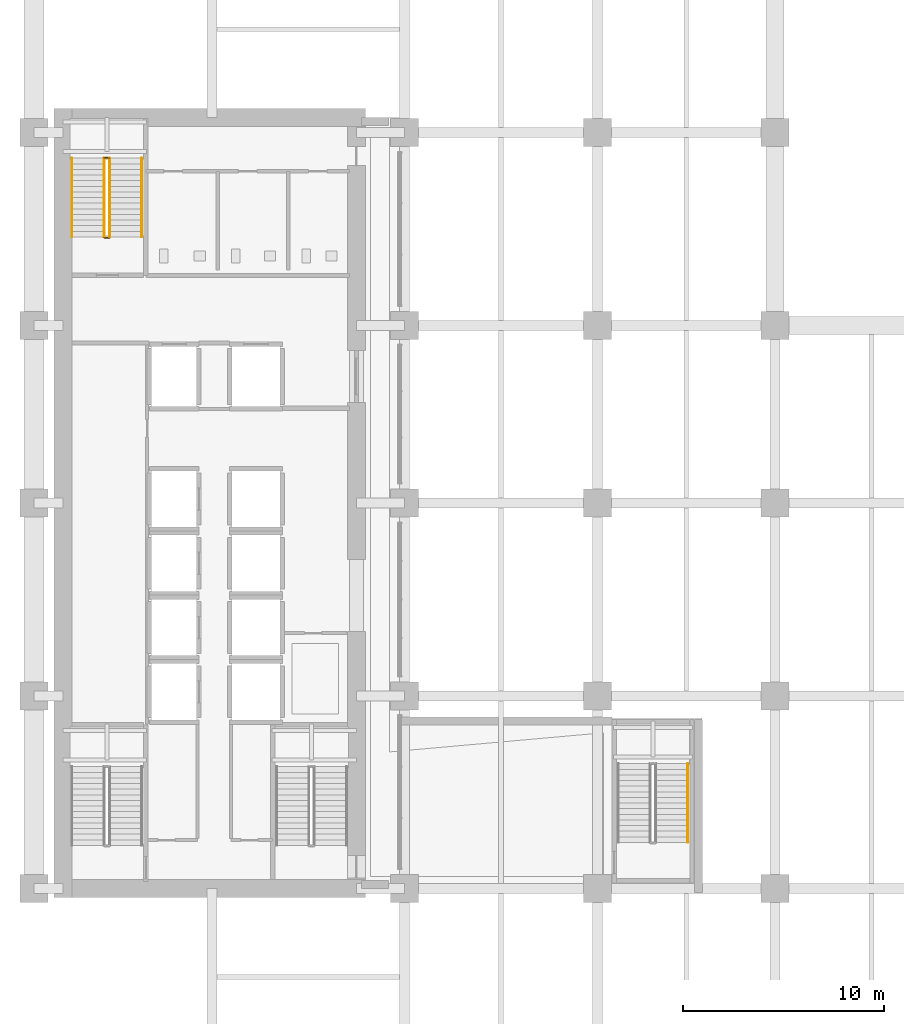
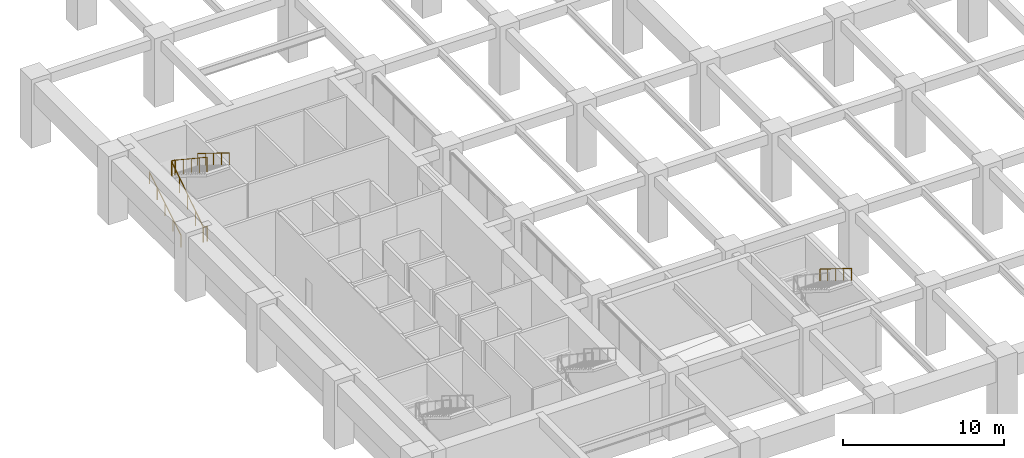
# One storey, part 19 of 22: 7 railings.
"""IFC4 building model written with IfcOpenShell, lengths in metres."""

from ifc_helpers import new_model, si_unit, direction, frame, origin, origin_2d, place, context, subcontext, project, spatial, circle, extrude, material, type_object, element, save


model = new_model("IFC4")

# Units and contexts
model_context = context("Model", 3, precision=1e-05, world=origin(), true_north=direction((0.0, 1.0)))
body_context = subcontext(model_context, "Body", "Model", "MODEL_VIEW")
ifc_project = project(units=[si_unit("LENGTHUNIT", "METRE"), si_unit("AREAUNIT", "SQUARE_METRE"), si_unit("VOLUMEUNIT", "CUBIC_METRE"), si_unit("PLANEANGLEUNIT", "RADIAN"), si_unit("MASSUNIT", "GRAM", prefix="KILO")], contexts=[model_context])

# Site, building, storey
site_placement = place(None, origin())
site = spatial("IfcSite", under=ifc_project, at=site_placement, CompositionType="ELEMENT")
building_placement = place(site_placement, origin())
building = spatial("IfcBuilding", under=site, at=building_placement, Name="Norrvale University Quadrangle", CompositionType="ELEMENT")
storey_placement = place(building_placement, frame((0.0, 0.0, 5.199951171875)))
storey = spatial("IfcBuildingStorey", under=building, at=storey_placement, Name="L01", CompositionType="ELEMENT", Elevation=5.199951171875)

# Railings
ifc_material_1 = material(Name="Steel 350W Painted Balustrade", Category="steel")
railing_type_1 = type_object("IfcRailingType", Name="Railing Stair Guard 1100", PredefinedType="GUARDRAIL", material=ifc_material_1)
for number, where, name in (
    (1, (4.239990234375, 42.02001953125, 0.0), "Stair Floor Well Guard ST-02 L01"),
    (2, (4.239990234375, 46.0, 2.60009765625), "Stair Mid-Landing Slot Guard ST-02 L01"),
):
    element("IfcRailing", number, at=place(storey_placement, frame(where)), inside=storey, type_object=railing_type_1, Name=name, PredefinedType="GUARDRAIL", context=body_context, shape_type="SweptSolid", body=[
        extrude(circle(Radius=0.02392578125, at=origin_2d()), frame((0.0, 0.0, 1.1259765625), z_axis=(1.0, 0.0, 0.0), x_axis=(0.0, 1.0, 0.0)), (0.0, 0.0, 1.0), 0.27001953125),
        extrude(circle(Radius=0.02099609375, at=origin_2d()), origin(), (0.0, 0.0, 1.0), 1.101806640625),
        extrude(circle(Radius=0.02099609375, at=origin_2d()), frame((0.27001953125, 0.0, 0.0)), (0.0, 0.0, 1.0), 1.101806640625),
    ])
railing_1_placement = place(storey_placement, frame((4.239990234375, 42.050048828125, 0.0)))
element("IfcRailing", 3, at=railing_1_placement, inside=storey, type_object=railing_type_1, Name="Stair Lower Flight Inner Guard ST-02 L01", PredefinedType="GUARDRAIL", context=body_context, shape_type="SweptSolid", body=[
    extrude(circle(Radius=0.02392578125, at=origin_2d()), frame((0.0, 0.0, 1.1259765625), z_axis=(0.0, 0.833341594215, 0.552758344444), x_axis=(-1.0, 0.0, 0.0)), (0.0, 0.0, 1.0), 4.703857421875),
    extrude(circle(Radius=0.02099609375, at=origin_2d()), origin(), (0.0, 0.0, 1.0), 1.101806640625),
    extrude(circle(Radius=0.02099609375, at=origin_2d()), frame((0.0, 0.97998046875, 0.64990234375)), (0.0, 0.0, 1.0), 1.101806640625),
    extrude(circle(Radius=0.02099609375, at=origin_2d()), frame((0.0, 1.9599609375, 1.300048828125)), (0.0, 0.0, 1.0), 1.101806640625),
    extrude(circle(Radius=0.02099609375, at=origin_2d()), frame((0.0, 2.93994140625, 1.9501953125)), (0.0, 0.0, 1.0), 1.101806640625),
    extrude(circle(Radius=0.02099609375, at=origin_2d()), frame((0.0, 3.919921875, 2.60009765625)), (0.0, 0.0, 1.0), 1.101806640625),
])
railing_2_placement = place(storey_placement, frame((4.510009765625, 45.969970703125, 2.60009765625)))
element("IfcRailing", 4, at=railing_2_placement, inside=storey, type_object=railing_type_1, Name="Stair Upper Flight Inner Guard ST-02 L01", PredefinedType="GUARDRAIL", context=body_context, shape_type="SweptSolid", body=[
    extrude(circle(Radius=0.02392578125, at=origin_2d()), frame((0.0, 0.0, 1.1259765625), z_axis=(0.0, -0.833365502166, 0.552722298989), x_axis=(1.0, 0.0, 0.0)), (0.0, 0.0, 1.0), 4.70361328125),
    extrude(circle(Radius=0.02099609375, at=origin_2d()), origin(), (0.0, 0.0, 1.0), 1.101806640625),
    extrude(circle(Radius=0.02099609375, at=origin_2d()), frame((0.0, -0.97998046875, 0.64990234375)), (0.0, 0.0, 1.0), 1.101806640625),
    extrude(circle(Radius=0.02099609375, at=origin_2d()), frame((0.0, -1.9599609375, 1.2998046875)), (0.0, 0.0, 1.0), 1.101806640625),
    extrude(circle(Radius=0.02099609375, at=origin_2d()), frame((0.0, -2.93994140625, 1.949951171875)), (0.0, 0.0, 1.0), 1.101806640625),
    extrude(circle(Radius=0.02099609375, at=origin_2d()), frame((0.0, -3.919921875, 2.599853515625)), (0.0, 0.0, 1.0), 1.101806640625),
])
ifc_material_2 = material(Name="Stainless Steel 316L Handrail", Category="steel")
railing_type_2 = type_object("IfcRailingType", Name="Railing Stair Handrail 920", PredefinedType="HANDRAIL", material=ifc_material_2)
railing_3_placement = place(storey_placement, frame((2.639892578125, 42.050048828125, 0.17333984375)))
element("IfcRailing", 5, at=railing_3_placement, inside=storey, type_object=railing_type_2, Name="Stair Lower Flight Handrail ST-02 L01", PredefinedType="HANDRAIL", context=body_context, shape_type="SweptSolid", body=[
    extrude(circle(Radius=0.02392578125, at=origin_2d()), frame((0.0, 0.0, 0.89599609375), z_axis=(0.0, 0.850251603719, 0.526376491091), x_axis=(-1.0, 0.0, 0.0)), (0.0, 0.0, 1.0), 4.6103515625),
    extrude(circle(Radius=0.02099609375, at=origin_2d()), origin(), (0.0, 0.0, 1.0), 0.871826171875),
    extrude(circle(Radius=0.02099609375, at=origin_2d()), frame((0.0, 0.97998046875, 0.606689453125)), (0.0, 0.0, 1.0), 0.871826171875),
    extrude(circle(Radius=0.02099609375, at=origin_2d()), frame((0.0, 1.9599609375, 1.21337890625)), (0.0, 0.0, 1.0), 0.871826171875),
    extrude(circle(Radius=0.02099609375, at=origin_2d()), frame((0.0, 2.93994140625, 1.820068359375)), (0.0, 0.0, 1.0), 0.871826171875),
    extrude(circle(Radius=0.02099609375, at=origin_2d()), frame((0.0, 3.919921875, 2.4267578125)), (0.0, 0.0, 1.0), 0.871826171875),
])
railing_4_placement = place(storey_placement, frame((6.110107421875, 45.969970703125, 2.7734375)))
element("IfcRailing", 6, at=railing_4_placement, inside=storey, type_object=railing_type_2, Name="Stair Upper Flight Handrail ST-02 L01", PredefinedType="HANDRAIL", context=body_context, shape_type="SweptSolid", body=[
    extrude(circle(Radius=0.02392578125, at=origin_2d()), frame((0.0, 0.0, 0.89599609375), z_axis=(0.0, -0.850275303828, 0.526338206574), x_axis=(1.0, 0.0, 0.0)), (0.0, 0.0, 1.0), 4.610107421875),
    extrude(circle(Radius=0.02099609375, at=origin_2d()), origin(), (0.0, 0.0, 1.0), 0.871826171875),
    extrude(circle(Radius=0.02099609375, at=origin_2d()), frame((0.0, -0.97998046875, 0.606689453125)), (0.0, 0.0, 1.0), 0.871826171875),
    extrude(circle(Radius=0.02099609375, at=origin_2d()), frame((0.0, -1.9599609375, 1.21337890625)), (0.0, 0.0, 1.0), 0.871826171875),
    extrude(circle(Radius=0.02099609375, at=origin_2d()), frame((0.0, -2.93994140625, 1.81982421875)), (0.0, 0.0, 1.0), 0.871826171875),
    extrude(circle(Radius=0.02099609375, at=origin_2d()), frame((0.0, -3.919921875, 2.426513671875)), (0.0, 0.0, 1.0), 0.871826171875),
])
railing_5_placement = place(storey_placement, frame((33.31005859375, 15.820068359375, 2.7734375)))
element("IfcRailing", 7, at=railing_5_placement, inside=storey, type_object=railing_type_2, Name="Stair Upper Flight Handrail ST-04 L01", PredefinedType="HANDRAIL", context=body_context, shape_type="SweptSolid", body=[
    extrude(circle(Radius=0.02392578125, at=origin_2d()), frame((0.0, 0.0, 0.89599609375), z_axis=(0.0, -0.850289973577, 0.526314507528), x_axis=(1.0, 0.0, 0.0)), (0.0, 0.0, 1.0), 4.6103515625),
    extrude(circle(Radius=0.02099609375, at=origin_2d()), origin(), (0.0, 0.0, 1.0), 0.871826171875),
    extrude(circle(Radius=0.02099609375, at=origin_2d()), frame((0.0, -0.97998046875, 0.606689453125)), (0.0, 0.0, 1.0), 0.871826171875),
    extrude(circle(Radius=0.02099609375, at=origin_2d()), frame((0.0, -1.9599609375, 1.21337890625)), (0.0, 0.0, 1.0), 0.871826171875),
    extrude(circle(Radius=0.02099609375, at=origin_2d()), frame((0.0, -2.940185546875, 1.81982421875)), (0.0, 0.0, 1.0), 0.871826171875),
    extrude(circle(Radius=0.02099609375, at=origin_2d()), frame((0.0, -3.920166015625, 2.426513671875)), (0.0, 0.0, 1.0), 0.871826171875),
])

save(model, "model.ifc")
